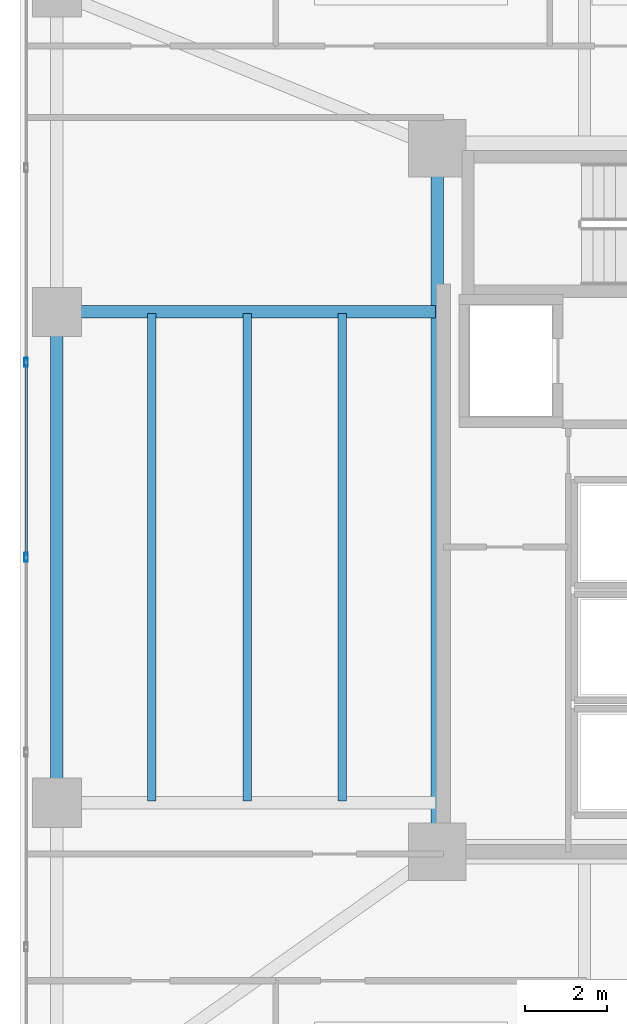
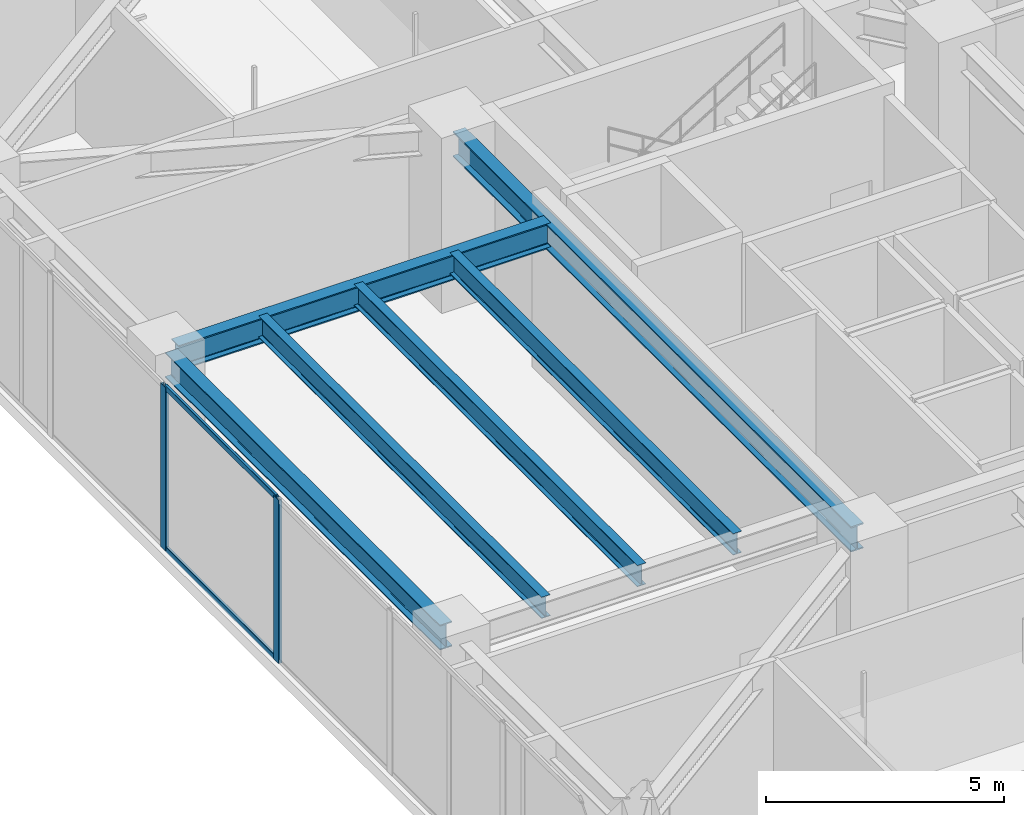
# One storey, part 7 of 40: 6 beams, 4 members, 1 element without a shape of its own.
"""IFC4 building model written with IfcOpenShell, lengths in metres."""

import ifcopenshell
import ifcopenshell.guid

model = None  # the IFC model being written
_history = None  # IfcOwnerHistory: only IFC2X3 demands one
_inside = {}  # id of a spatial element -> (the spatial element, [elements in it])
_under = {}  # id of a project, library or spatial element -> (it, [spatial elements below it])
_declared = {}  # id of a project -> (the project, [libraries it declares])
_typed = {}  # id of a type object -> (the type object, [elements of that type])
_made_of = {}  # id of a material, layer set ... -> (it, [elements and type objects made of it])


def new_model(schema):
    """Start an empty IFC model of exactly this schema.

    Asked for "IFC4X3", IfcOpenShell would pick the latest addendum, in which some entities
    have other attributes; the version numbers below select the first issue.
    IFC2X3 requires an IfcOwnerHistory on every rooted entity: one is made here for all.
    """
    global model, _history
    if schema == "IFC4X3":
        model = ifcopenshell.file(schema_version=(4, 3, 0, 0))
    else:
        model = ifcopenshell.file(schema=schema)
    _inside.clear()
    _under.clear()
    _declared.clear()
    _typed.clear()
    _made_of.clear()
    _history = None
    if model.schema == "IFC2X3":
        org = make("IfcOrganization", Name="unknown")
        user = make(
            "IfcPersonAndOrganization",
            ThePerson=make("IfcPerson", FamilyName="unknown"),
            TheOrganization=org,
        )
        app = make(
            "IfcApplication",
            ApplicationDeveloper=org,
            Version="unknown",
            ApplicationFullName="unknown",
            ApplicationIdentifier="unknown",
        )
        _history = make(
            "IfcOwnerHistory",
            OwningUser=user,
            OwningApplication=app,
            ChangeAction="ADDED",
            CreationDate=0,
        )
    return model


def make(cls, **values):
    """One entity of the class cls with the attributes given. An attribute that is None is left unset."""
    return model.create_entity(
        cls, **{name: value for name, value in values.items() if value is not None}
    )


def rooted(cls, **values):
    """An entity with a GlobalId (a new one), such as an element, a storey or a relation."""
    return make(cls, GlobalId=ifcopenshell.guid.new(), OwnerHistory=_history, **values)


def si_unit(unit_type, name, prefix=None):
    """IfcSIUnit, for example si_unit("LENGTHUNIT", "METRE", prefix="MILLI")."""
    return make("IfcSIUnit", UnitType=unit_type, Prefix=prefix, Name=name)


def assignment(units):
    """IfcUnitAssignment: the units of a project."""
    return None if units is None else make("IfcUnitAssignment", Units=units)


def point(xyz):
    """IfcCartesianPoint."""
    return None if xyz is None else make("IfcCartesianPoint", Coordinates=xyz)


def direction(xyz):
    """IfcDirection."""
    return None if xyz is None else make("IfcDirection", DirectionRatios=xyz)


def frame(location, z_axis=None, x_axis=None):
    """IfcAxis2Placement3D, a coordinate frame: its origin and axes. An axis left out is left unset."""
    return make(
        "IfcAxis2Placement3D",
        Location=point(location),
        Axis=direction(z_axis),
        RefDirection=direction(x_axis),
    )


def frame_2d(location, x_axis=None):
    """IfcAxis2Placement2D, a coordinate frame in the plane: its origin and x axis."""
    return make(
        "IfcAxis2Placement2D", Location=point(location), RefDirection=direction(x_axis)
    )


def origin():
    """The frame at (0, 0, 0) with its axes left unset."""
    return frame((0.0, 0.0, 0.0))


def origin_2d():
    """The frame at (0, 0) in the plane with its x axis left unset."""
    return frame_2d((0.0, 0.0))


def place(relative_to, where):
    """IfcLocalPlacement: puts the frame where relative to a parent placement (None: the world)."""
    return make(
        "IfcLocalPlacement", PlacementRelTo=relative_to, RelativePlacement=where
    )


def context(
    kind, dimensions, precision=None, world=None, true_north=None, identifier=None
):
    """IfcGeometricRepresentationContext, for example the 3D "Model" context."""
    return make(
        "IfcGeometricRepresentationContext",
        ContextIdentifier=identifier,
        ContextType=kind,
        CoordinateSpaceDimension=dimensions,
        Precision=precision,
        WorldCoordinateSystem=world,
        TrueNorth=true_north,
    )


def subcontext(parent, identifier, kind, view, scale=None):
    """IfcGeometricRepresentationSubContext, for example "Body" below "Model"."""
    return make(
        "IfcGeometricRepresentationSubContext",
        ContextIdentifier=identifier,
        ContextType=kind,
        ParentContext=parent,
        TargetScale=scale,
        TargetView=view,
    )


def project(units=None, contexts=None):
    """IfcProject with its units and contexts."""
    return rooted(
        "IfcProject",
        Name="project",
        RepresentationContexts=contexts,
        UnitsInContext=assignment(units),
    )


def spatial(cls, under=None, at=None, **own):
    """A site, building, storey or space (cls), placed at a placement, below another one or the project."""
    s = rooted(cls, ObjectPlacement=at, **own)
    if under is not None:
        _under.setdefault(under.id(), (under, []))[1].append(s)
    return s


def profile(cls, at=None, kind="AREA", **sizes):
    """A parametric profile (cls). Its sizes go by their IFC names, for example OverallWidth=200.0."""
    return make(cls, ProfileType=kind, Position=at, **sizes)


def hollow_rectangle(**sizes):
    """IfcRectangleHollowProfileDef."""
    return profile("IfcRectangleHollowProfileDef", **sizes)


def i_section(**sizes):
    """IfcIShapeProfileDef."""
    return profile("IfcIShapeProfileDef", **sizes)


def extrude(swept, where, along, depth):
    """IfcExtrudedAreaSolid: the profile swept, set in the frame where, extruded along a direction by depth."""
    return make(
        "IfcExtrudedAreaSolid",
        SweptArea=swept,
        Position=where,
        ExtrudedDirection=direction(along),
        Depth=depth,
    )


def shape(context_of_items, identifier, shape_type, items):
    """IfcShapeRepresentation: the items that make up one representation, for example the "Body"."""
    return make(
        "IfcShapeRepresentation",
        ContextOfItems=context_of_items,
        RepresentationIdentifier=identifier,
        RepresentationType=shape_type,
        Items=items,
    )


def material(Name=None, Category=None):
    """IfcMaterial."""
    return make("IfcMaterial", Name=Name, Category=Category)


def layer(
    of_material, thickness, ventilated=None, Name=None, Category=None, Priority=None
):
    """IfcMaterialLayer: one layer of a wall or slab, of a material (None: an air gap)."""
    return make(
        "IfcMaterialLayer",
        Material=of_material,
        LayerThickness=thickness,
        IsVentilated=ventilated,
        Name=Name,
        Category=Category,
        Priority=Priority,
    )


def layer_set(layers, Name=None):
    """IfcMaterialLayerSet."""
    return make("IfcMaterialLayerSet", MaterialLayers=layers, LayerSetName=Name)


def material_profile(
    of_material, cross_section, Name=None, Category=None, Priority=None
):
    """IfcMaterialProfile: a cross section and its material."""
    return make(
        "IfcMaterialProfile",
        Name=Name,
        Material=of_material,
        Profile=cross_section,
        Priority=Priority,
        Category=Category,
    )


def profile_set(profiles, Name=None, composite=None):
    """IfcMaterialProfileSet."""
    return make(
        "IfcMaterialProfileSet",
        Name=Name,
        MaterialProfiles=profiles,
        CompositeProfile=composite,
    )


def made_of(thing, what):
    """Note that an element or type object is made of a material, layer set ...; save() writes the relation."""
    if what is not None:
        _made_of.setdefault(what.id(), (what, []))[1].append(thing)
    return thing


def type_object(cls, material=None, **own):
    """A type object (cls), such as IfcWallType, which elements share."""
    return made_of(rooted(cls, **own), material)


def element(
    cls,
    number,
    at=None,
    inside=None,
    cuts=None,
    type_object=None,
    material=None,
    context=None,
    identifier="Body",
    shape_type=None,
    held_by="IfcProductDefinitionShape",
    body=None,
    shapes=None,
    **own,
):
    """One element of the class cls, such as IfcWall. Its Tag is "e" and its number.

    at: its placement. inside: the storey or other place that contains it. cuts: it is an
    opening in that element (IfcRelVoidsElement). A single representation is given by context,
    identifier, shape_type and body (its items); several are given by shapes. held_by: the class
    of the entity that holds the representations. save() writes the other relations.
    """
    e = rooted(cls, Tag="e%d" % number, ObjectPlacement=at, **own)
    if body is not None:
        shapes = [shape(context, identifier, shape_type, body)]
    if shapes is not None:
        e.Representation = make(held_by, Representations=shapes)
    if inside is not None:
        _inside.setdefault(inside.id(), (inside, []))[1].append(e)
    if cuts is not None:
        rooted(
            "IfcRelVoidsElement", RelatingBuildingElement=cuts, RelatedOpeningElement=e
        )
    if type_object is not None:
        _typed.setdefault(type_object.id(), (type_object, []))[1].append(e)
    return made_of(e, material)


def aggregate(whole, parts):
    """IfcRelAggregates: a whole, such as a stair, and the parts it consists of."""
    return rooted("IfcRelAggregates", RelatingObject=whole, RelatedObjects=parts)


def save(model, path):
    """Write the relations noted so far, then the file.

    IfcRelAggregates (storeys below a building ...), IfcRelContainedInSpatialStructure (elements
    in a storey), IfcRelDefinesByType, IfcRelAssociatesMaterial and IfcRelDeclares: one each for
    every whole, place, type object, material and project.
    """
    for whole, parts in _under.values():
        aggregate(whole, parts)
    for where, things in _inside.values():
        rooted(
            "IfcRelContainedInSpatialStructure",
            RelatedElements=things,
            RelatingStructure=where,
        )
    for kind, things in _typed.values():
        rooted("IfcRelDefinesByType", RelatedObjects=things, RelatingType=kind)
    for what, things in _made_of.values():
        rooted("IfcRelAssociatesMaterial", RelatedObjects=things, RelatingMaterial=what)
    for by, libraries in _declared.values():
        rooted("IfcRelDeclares", RelatingContext=by, RelatedDefinitions=libraries)
    model.write(path)


model = new_model("IFC4")

# Units and contexts
model_context = context("Model", 3, precision=1e-05, world=origin(), true_north=direction((0.0, 1.0)))
body_context = subcontext(model_context, "Body", "Model", "MODEL_VIEW")
ifc_project = project(units=[si_unit("LENGTHUNIT", "METRE"), si_unit("AREAUNIT", "SQUARE_METRE"), si_unit("VOLUMEUNIT", "CUBIC_METRE"), si_unit("PLANEANGLEUNIT", "RADIAN"), si_unit("MASSUNIT", "GRAM", prefix="KILO")], contexts=[model_context])

# Site, building, storey
site_placement = place(None, origin())
site = spatial("IfcSite", under=ifc_project, at=site_placement, CompositionType="ELEMENT")
building_placement = place(site_placement, origin())
building = spatial("IfcBuilding", under=site, at=building_placement, Name="Tarnavaz Court Tower", CompositionType="ELEMENT")
storey_placement = place(building_placement, frame((0.0, 0.0, 64.199951171875)))
storey = spatial("IfcBuildingStorey", under=building, at=storey_placement, Name="L17", CompositionType="ELEMENT", Elevation=64.199951171875)

# Beams
ifc_material_1 = material(Name="Steel S355", Category="steel")
ifc_material_profile_1 = material_profile(ifc_material_1, i_section(OverallWidth=0.300048828125, OverallDepth=0.64990234375, WebThickness=0.01611328125, FlangeThickness=0.031005859375, FilletRadius=0.027099609375, at=origin_2d()), Name="HEB 650")
ifc_profile_set_1 = profile_set([ifc_material_profile_1], Name="Steel S355")
beam_type_1 = type_object("IfcBeamType", Name="BM-G-HEB650", PredefinedType="USERDEFINED", material=ifc_profile_set_1)
beam_1_placement = place(storey_placement, frame((-18.60009765625, -6.97998046875, 3.875), z_axis=(0.0, 1.0, 0.0), x_axis=(-1.0, 0.0, 0.0)))
element("IfcBeam", 1, at=beam_1_placement, inside=storey, type_object=beam_type_1, Name="L17 Beam IN-CW-SO-CW-NO", ObjectType="GIRDER", PredefinedType="USERDEFINED", context=body_context, shape_type="SweptSolid", body=[
    extrude(i_section(OverallWidth=0.300048828125, OverallDepth=0.64990234375, WebThickness=0.01611328125, FlangeThickness=0.031005859375, FilletRadius=0.027099609375, at=origin_2d()), origin(), (0.0, 0.0, 1.0), 16.760009765625),
])
beam_2_placement = place(storey_placement, frame((-18.639892578125, 6.0, 3.875), z_axis=(-1.0, 0.0, 0.0), x_axis=(0.0, -1.0, 0.0)))
element("IfcBeam", 2, at=beam_2_placement, inside=storey, type_object=beam_type_1, Name="L17 Beam RG-14", ObjectType="GIRDER", PredefinedType="USERDEFINED", context=body_context, shape_type="SweptSolid", body=[
    extrude(i_section(OverallWidth=0.300048828125, OverallDepth=0.64990234375, WebThickness=0.01611328125, FlangeThickness=0.031005859375, FilletRadius=0.027099609375, at=origin_2d()), origin(), (0.0, 0.0, 1.0), 9.0400390625),
])
ifc_material_profile_2 = material_profile(ifc_material_1, i_section(OverallWidth=0.2099609375, OverallDepth=0.550048828125, WebThickness=0.010986328125, FlangeThickness=0.01708984375, FilletRadius=0.02392578125, at=origin_2d()), Name="IPE 550")
ifc_profile_set_2 = profile_set([ifc_material_profile_2], Name="Steel S355")
beam_type_2 = type_object("IfcBeamType", Name="BM-J-IPE550", PredefinedType="JOIST", material=ifc_profile_set_2)
for number, where, z_axis, x_axis, name in (
    (3, (-20.925048828125, -5.9599609375, 3.925048828125), (0.0, 1.0, 0.0), (-1.0, 0.0, 0.0), "L17 Beam JW1"),
    (4, (-23.25, -5.9599609375, 3.925048828125), (0.0, 1.0, 0.0), (-1.0, 0.0, 0.0), "L17 Beam JW2"),
    (5, (-25.574951171875, -5.9599609375, 3.925048828125), (0.0, 1.0, 0.0), (-1.0, 0.0, 0.0), "L17 Beam JW3"),
):
    element("IfcBeam", number, at=place(storey_placement, frame(where, z_axis=z_axis, x_axis=x_axis)), inside=storey, type_object=beam_type_2, Name=name, PredefinedType="JOIST", context=body_context, shape_type="SweptSolid", body=[
        extrude(i_section(OverallWidth=0.2099609375, OverallDepth=0.550048828125, WebThickness=0.010986328125, FlangeThickness=0.01708984375, FilletRadius=0.02392578125, at=origin_2d()), origin(), (0.0, 0.0, 1.0), 11.919921875),
    ])
ifc_material_profile_3 = material_profile(ifc_material_1, i_section(OverallWidth=0.300048828125, OverallDepth=0.639892578125, WebThickness=0.013427734375, FlangeThickness=0.02587890625, FilletRadius=0.027099609375, at=origin_2d()), Name="HEA 650")
ifc_profile_set_3 = profile_set([ifc_material_profile_3], Name="Steel S355")
beam_type_3 = type_object("IfcBeamType", Name="BM-SP-HEA650", PredefinedType="SPANDREL", material=ifc_profile_set_3)
beam_3_placement = place(storey_placement, frame((-27.89990234375, -5.780029296875, 3.880126953125), z_axis=(0.0, 1.0, 0.0), x_axis=(-1.0, 0.0, 0.0)))
element("IfcBeam", 6, at=beam_3_placement, inside=storey, type_object=beam_type_3, Name="L17 Beam PR-PW-2-PW-3", PredefinedType="SPANDREL", context=body_context, shape_type="SweptSolid", body=[
    extrude(i_section(OverallWidth=0.300048828125, OverallDepth=0.639892578125, WebThickness=0.013427734375, FlangeThickness=0.02587890625, FilletRadius=0.027099609375, at=origin_2d()), origin(), (0.0, 0.0, 1.0), 11.56005859375),
])

# Curtain wall, members
ifc_material_2 = material(Name="Anodised Aluminium 6063-T6 and Solar Low-E Glazing", Category="aluminium")
ifc_layer = layer(ifc_material_2, 0.199951171875)
ifc_layer_set = layer_set([ifc_layer], Name="Anodised Aluminium 6063-T6 and Solar Low-E Glazing")
curtain_wall_type = type_object("IfcCurtainWallType", Name="CW-SYS-05", PredefinedType="NOTDEFINED", material=ifc_layer_set)
curtain_wall_placement = place(storey_placement, origin())
curtain_wall = element("IfcCurtainWall", 7, at=curtain_wall_placement, inside=storey, type_object=curtain_wall_type, Name="L17 Sky-Portal Curtain Wall 2", PredefinedType="NOTDEFINED")
ifc_material_3 = material(Name="Anodised Aluminium 6063-T6", Category="aluminium")
ifc_material_profile_4 = material_profile(ifc_material_3, hollow_rectangle(XDim=0.0849609375, YDim=0.219970703125, WallThickness=0.006103515625, InnerFilletRadius=0.006103515625, OuterFilletRadius=0.011962890625, at=origin_2d()), Name="ALU RHS 220X85X6")
ifc_profile_set_4 = profile_set([ifc_material_profile_4], Name="Anodised Aluminium 6063-T6")
member_type_1 = type_object("IfcMemberType", Name="CW-MUL-220", PredefinedType="MULLION", material=ifc_profile_set_4)
member_1_placement = place(storey_placement, frame((-28.64990234375, 0.0, 0.0), z_axis=(0.0, 0.0, 1.0), x_axis=(-1.0, 0.0, 0.0)))
member_1 = element("IfcMember", 8, at=member_1_placement, type_object=member_type_1, Name="CW mullion 5", PredefinedType="MULLION", context=body_context, shape_type="SweptSolid", body=[
    extrude(hollow_rectangle(XDim=0.0849609375, YDim=0.219970703125, WallThickness=0.006103515625, InnerFilletRadius=0.006103515625, OuterFilletRadius=0.011962890625, at=origin_2d()), origin(), (0.0, 0.0, 1.0), 4.199951171875),
])
member_2_placement = place(storey_placement, frame((-28.64990234375, 4.762451171875, 0.0), z_axis=(0.0, 0.0, 1.0), x_axis=(-1.0, 0.0, 0.0)))
member_2 = element("IfcMember", 9, at=member_2_placement, type_object=member_type_1, Name="CW mullion 6", PredefinedType="MULLION", context=body_context, shape_type="SweptSolid", body=[
    extrude(hollow_rectangle(XDim=0.0849609375, YDim=0.219970703125, WallThickness=0.006103515625, InnerFilletRadius=0.006103515625, OuterFilletRadius=0.011962890625, at=origin_2d()), origin(), (0.0, 0.0, 1.0), 4.199951171875),
])
ifc_material_profile_5 = material_profile(ifc_material_3, hollow_rectangle(XDim=0.06494140625, YDim=0.139892578125, WallThickness=0.00390625, InnerFilletRadius=0.00390625, OuterFilletRadius=0.008056640625, at=origin_2d()), Name="ALU RHS 140X65X4")
ifc_profile_set_5 = profile_set([ifc_material_profile_5], Name="Anodised Aluminium 6063-T6")
member_type_2 = type_object("IfcMemberType", Name="CW-TRN-140", PredefinedType="USERDEFINED", material=ifc_profile_set_5)
member_3_placement = place(storey_placement, frame((-28.64990234375, 0.04248046875, 0.032470703125), z_axis=(0.0, 1.0, 0.0), x_axis=(-1.0, 0.0, 0.0)))
member_3 = element("IfcMember", 10, at=member_3_placement, type_object=member_type_2, Name="CW transom 5.1", ObjectType="TRANSOM", PredefinedType="USERDEFINED", context=body_context, shape_type="SweptSolid", body=[
    extrude(hollow_rectangle(XDim=0.06494140625, YDim=0.139892578125, WallThickness=0.00390625, InnerFilletRadius=0.00390625, OuterFilletRadius=0.008056640625, at=origin_2d()), origin(), (0.0, 0.0, 1.0), 4.677490234375),
])
member_4_placement = place(storey_placement, frame((-28.64990234375, 0.04248046875, 4.16748046875), z_axis=(0.0, 1.0, 0.0), x_axis=(-1.0, 0.0, 0.0)))
member_4 = element("IfcMember", 11, at=member_4_placement, type_object=member_type_2, Name="CW transom 5.2", ObjectType="TRANSOM", PredefinedType="USERDEFINED", context=body_context, shape_type="SweptSolid", body=[
    extrude(hollow_rectangle(XDim=0.06494140625, YDim=0.139892578125, WallThickness=0.00390625, InnerFilletRadius=0.00390625, OuterFilletRadius=0.008056640625, at=origin_2d()), origin(), (0.0, 0.0, 1.0), 4.677490234375),
])
aggregate(curtain_wall, [member_1, member_2, member_3, member_4])

save(model, "model.ifc")
